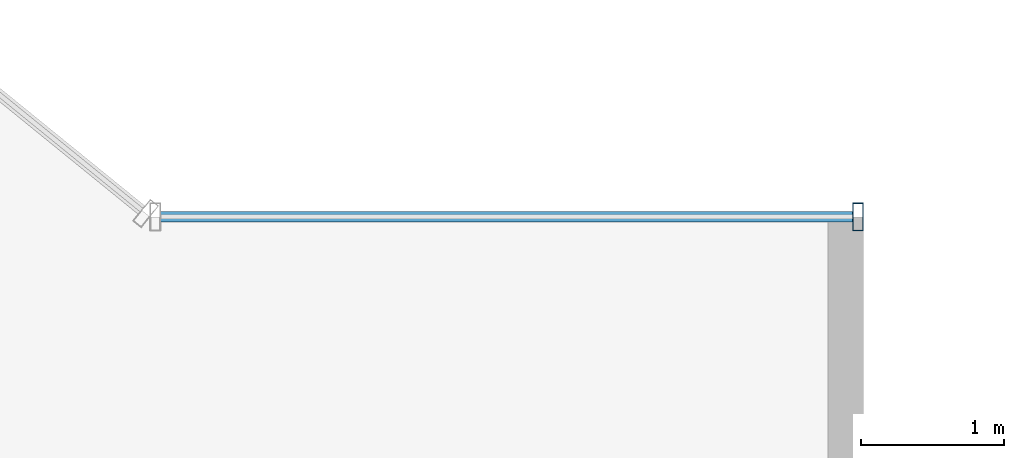
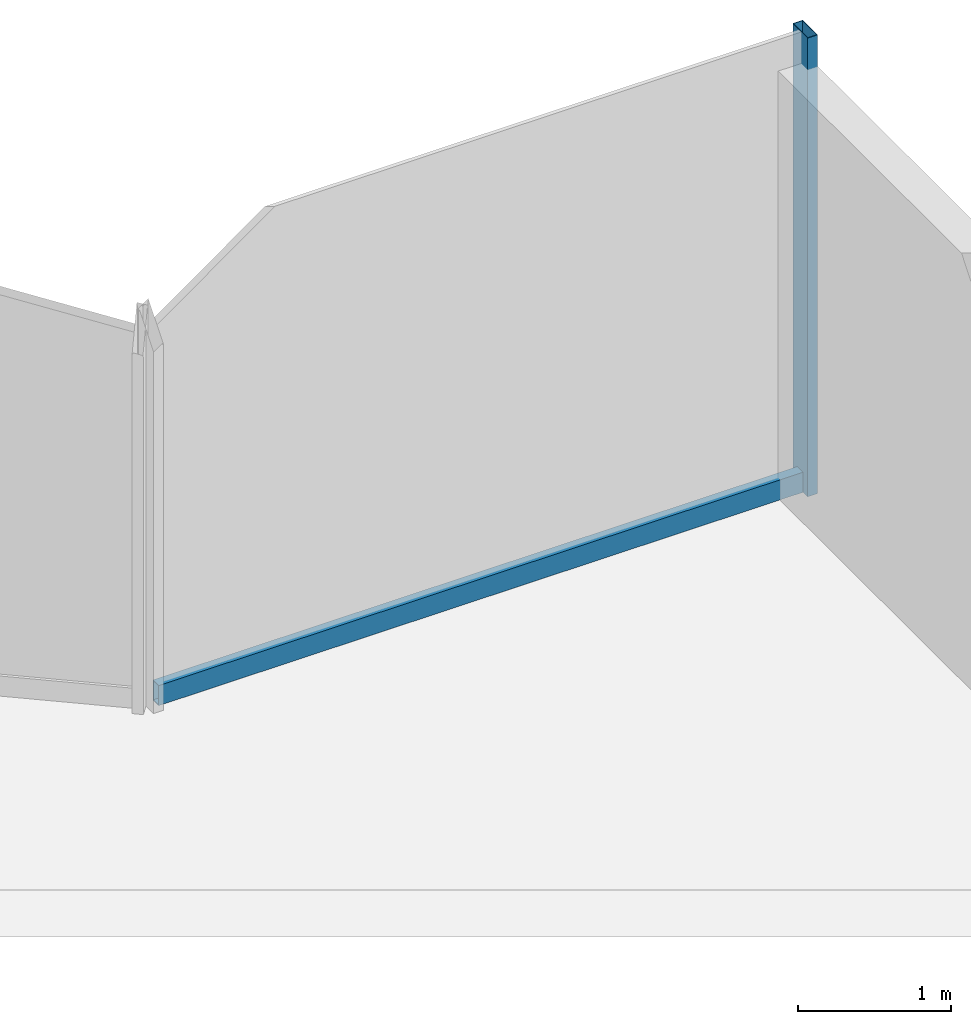
# One storey, part 18 of 25: 2 members, 1 element without a shape of its own.
"""IFC4 building model written with IfcOpenShell, lengths in metres."""

from ifc_helpers import new_model, si_unit, derived_unit, direction, frame, origin, origin_2d, place, context, subcontext, project, spatial, hollow_rectangle, extrude, source, transform, mapped, material, material_profile, profile_set, type_object, element, aggregate, save


model = new_model("IFC4")

# Units and contexts
model_context = context("Model", 3, precision=1e-05, world=origin(), true_north=direction((0.0, 1.0)))
body_context = subcontext(model_context, "Body", "Model", "MODEL_VIEW")
ifc_project = project(units=[si_unit("LENGTHUNIT", "METRE"), si_unit("AREAUNIT", "SQUARE_METRE"), si_unit("VOLUMEUNIT", "CUBIC_METRE"), si_unit("PLANEANGLEUNIT", "RADIAN"), si_unit("MASSUNIT", "GRAM", prefix="KILO"), derived_unit("THERMALTRANSMITTANCEUNIT", [(si_unit("POWERUNIT", "WATT"), 1), (si_unit("LENGTHUNIT", "METRE"), -2), (si_unit("THERMODYNAMICTEMPERATUREUNIT", "KELVIN"), -1)])], contexts=[model_context])

# Site, building, storey
site_placement = place(None, origin())
site = spatial("IfcSite", under=ifc_project, at=site_placement, CompositionType="ELEMENT")
building_placement = place(site_placement, origin())
building = spatial("IfcBuilding", under=site, at=building_placement, Name="Skarnbrae Concourse Arena and Tower", CompositionType="ELEMENT")
storey_placement = place(building_placement, frame((0.0, 0.0, 88.64990234375)))
storey = spatial("IfcBuildingStorey", under=building, at=storey_placement, Name="L21", CompositionType="ELEMENT", Elevation=88.64990234375)

# Curtain wall, members
ifc_material = material(Name="Bronze anodised aluminium 6063-T6", Category="aluminium")
curtain_wall_type = type_object("IfcCurtainWallType", Name="CW-SYS-04-MIDZONE", PredefinedType="USERDEFINED", material=ifc_material)
curtain_wall_placement = place(storey_placement, origin())
curtain_wall = element("IfcCurtainWall", 1, at=curtain_wall_placement, inside=storey, type_object=curtain_wall_type, Name="L21 Unitised curtain wall CW-L21-E07", ObjectType="UNITISED CURTAIN WALL", PredefinedType="USERDEFINED")
ifc_material_profile_1 = material_profile(ifc_material, hollow_rectangle(XDim=0.074951171875, YDim=0.195068359375, WallThickness=0.00439453125, at=origin_2d()), Name="ALU-MULL-75X195")
ifc_profile_set_1 = profile_set([ifc_material_profile_1], Name="Bronze anodised aluminium 6063-T6")
member_type_1 = type_object("IfcMemberType", Name="CWM-CW-04", PredefinedType="MULLION", material=ifc_profile_set_1)
shared_shape_1 = source(origin(), body_context, "Body", "SweptSolid", [
    extrude(hollow_rectangle(XDim=0.074951171875, YDim=0.195068359375, WallThickness=0.00439453125, at=origin_2d()), origin(), (0.0, 0.0, 1.0), 3.650146484375),
])
member_1_placement = place(storey_placement, frame((51.46240234375, 39.0, 0.0), z_axis=(0.0, 0.0, 1.0), x_axis=(-1.0, 0.0, 0.0)))
member_1 = element("IfcMember", 2, at=member_1_placement, type_object=member_type_1, Name="CW-L21-E07 Mullion 1", PredefinedType="MULLION", context=body_context, shape_type="MappedRepresentation", body=[
    mapped(shared_shape_1, transform((0.0, 0.0, 0.0))),
])
ifc_material_profile_2 = material_profile(ifc_material, hollow_rectangle(XDim=0.074951171875, YDim=0.159912109375, WallThickness=0.00439453125, at=origin_2d()), Name="ALU-TRAN-75X160")
ifc_profile_set_2 = profile_set([ifc_material_profile_2], Name="Bronze anodised aluminium 6063-T6")
member_type_2 = type_object("IfcMemberType", Name="CWT-CW-04", PredefinedType="USERDEFINED", material=ifc_profile_set_2)
shared_shape_2 = source(origin(), body_context, "Body", "SweptSolid", [
    extrude(hollow_rectangle(XDim=0.074951171875, YDim=0.159912109375, WallThickness=0.00439453125, at=origin_2d()), origin(), (0.0, 0.0, 1.0), 4.85009765625),
])
member_2_placement = place(storey_placement, frame((51.425048828125, 39.0, 0.080078125), z_axis=(-1.0, 0.0, 0.0), x_axis=(0.0, -1.0, 0.0)))
member_2 = element("IfcMember", 3, at=member_2_placement, type_object=member_type_2, Name="CW-L21-E07 Transom 1", ObjectType="TRANSOM", PredefinedType="USERDEFINED", context=body_context, shape_type="MappedRepresentation", body=[
    mapped(shared_shape_2, transform((0.0, 0.0, 0.0))),
])
aggregate(curtain_wall, [member_1, member_2])

save(model, "model.ifc")
